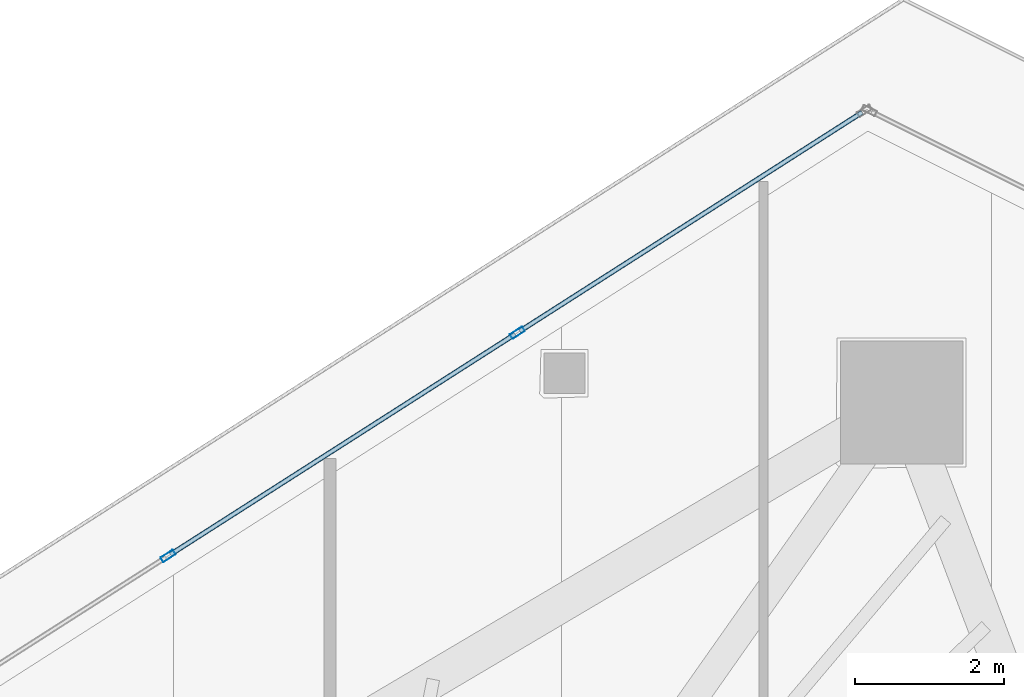
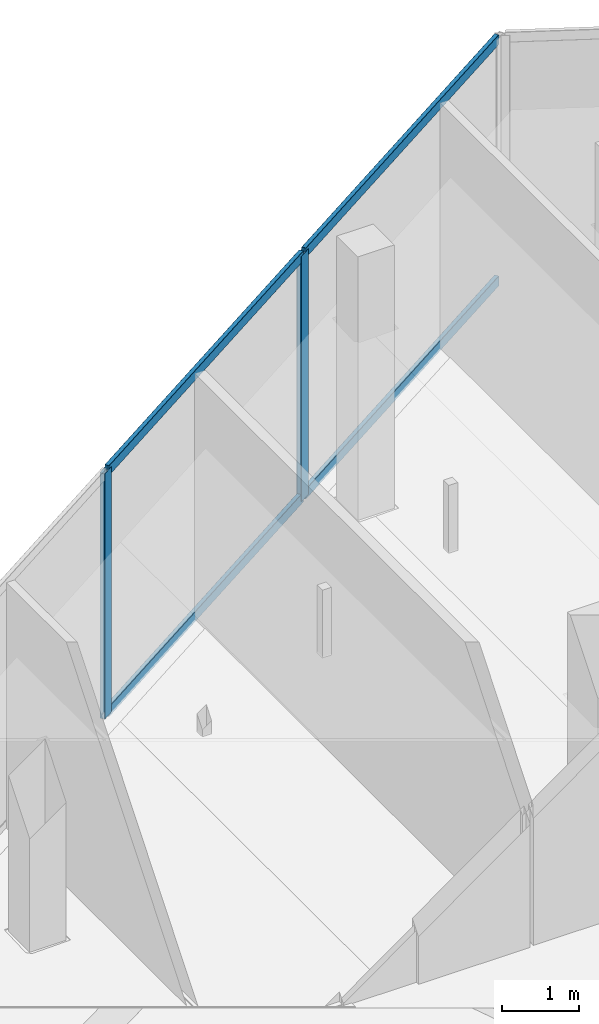
# One storey, part 19 of 36: 6 members, 1 element without a shape of its own.
"""IFC4 building model written with IfcOpenShell, lengths in metres."""

from ifc_helpers import new_model, si_unit, direction, frame, origin, origin_2d, place, context, subcontext, project, spatial, hollow_rectangle, extrude, material, layer, layer_set, material_profile, profile_set, type_object, element, aggregate, save


model = new_model("IFC4")

# Units and contexts
model_context = context("Model", 3, precision=1e-05, world=origin(), true_north=direction((0.0, 1.0)))
body_context = subcontext(model_context, "Body", "Model", "MODEL_VIEW")
ifc_project = project(units=[si_unit("LENGTHUNIT", "METRE"), si_unit("AREAUNIT", "SQUARE_METRE"), si_unit("VOLUMEUNIT", "CUBIC_METRE"), si_unit("PLANEANGLEUNIT", "RADIAN"), si_unit("MASSUNIT", "GRAM", prefix="KILO")], contexts=[model_context])

# Site, building, storey
site_placement = place(None, origin())
site = spatial("IfcSite", under=ifc_project, at=site_placement, CompositionType="ELEMENT")
building_placement = place(site_placement, origin())
building = spatial("IfcBuilding", under=site, at=building_placement, Name="Qorvath Tower", CompositionType="ELEMENT")
storey_placement = place(building_placement, frame((0.0, 0.0, 272.39990234375)))
storey = spatial("IfcBuildingStorey", under=building, at=storey_placement, Name="L63", CompositionType="ELEMENT", Elevation=272.39990234375)

# Curtain wall, members
ifc_material_1 = material(Name="Anodised aluminium and triple low-E glass", Category="aluminium")
ifc_layer = layer(ifc_material_1, 0.179931640625)
ifc_layer_set = layer_set([ifc_layer], Name="CW-SYS-4")
curtain_wall_type = type_object("IfcCurtainWallType", Name="CW-SYS-4", PredefinedType="NOTDEFINED", material=ifc_layer_set)
curtain_wall_placement = place(storey_placement, origin())
curtain_wall = element("IfcCurtainWall", 1, at=curtain_wall_placement, inside=storey, type_object=curtain_wall_type, Name="Curtain Wall CW-4 CW-T-L63-16.1", PredefinedType="NOTDEFINED")
ifc_material_2 = material(Name="Anodised aluminium 6063-T6", Category="aluminium")
ifc_material_profile_1 = material_profile(ifc_material_2, hollow_rectangle(XDim=0.074951171875, YDim=0.199951171875, WallThickness=0.00390625, InnerFilletRadius=0.00390625, OuterFilletRadius=0.008056640625, at=origin_2d()), Name="CWM 200x75")
ifc_profile_set_1 = profile_set([ifc_material_profile_1], Name="Anodised aluminium 6063-T6")
member_type_1 = type_object("IfcMemberType", Name="CWM-200", PredefinedType="MULLION", material=ifc_profile_set_1)
member_1_placement = place(storey_placement, frame((-22.687255859375, 21.04150390625, 0.0), z_axis=(0.0, 0.0, 1.0), x_axis=(0.538533509281, -0.842604094093, 0.0)))
member_1 = element("IfcMember", 2, at=member_1_placement, type_object=member_type_1, Name="CW-4 mullion 2", PredefinedType="MULLION", context=body_context, shape_type="SweptSolid", body=[
    extrude(hollow_rectangle(XDim=0.074951171875, YDim=0.199951171875, WallThickness=0.00390625, InnerFilletRadius=0.00390625, OuterFilletRadius=0.008056640625, at=origin_2d()), origin(), (0.0, 0.0, 1.0), 3.91015625),
])
member_2_placement = place(storey_placement, frame((-27.390380859375, 18.03564453125, 0.0), z_axis=(0.0, 0.0, 1.0), x_axis=(0.538533509281, -0.842604094093, 0.0)))
member_2 = element("IfcMember", 3, at=member_2_placement, type_object=member_type_1, Name="CW-4 mullion 3", PredefinedType="MULLION", context=body_context, shape_type="SweptSolid", body=[
    extrude(hollow_rectangle(XDim=0.074951171875, YDim=0.199951171875, WallThickness=0.00390625, InnerFilletRadius=0.00390625, OuterFilletRadius=0.008056640625, at=origin_2d()), origin(), (0.0, 0.0, 1.0), 3.91015625),
])
ifc_material_3 = material(Name="Anodised aluminium 6063-T6", Category="aluminium")
ifc_material_profile_2 = material_profile(ifc_material_3, hollow_rectangle(XDim=0.06494140625, YDim=0.159912109375, WallThickness=0.00341796875, InnerFilletRadius=0.00341796875, OuterFilletRadius=0.007080078125, at=origin_2d()), Name="CWT 160x65")
ifc_profile_set_2 = profile_set([ifc_material_profile_2], Name="Anodised aluminium 6063-T6")
member_type_2 = type_object("IfcMemberType", Name="CWT-160", PredefinedType="USERDEFINED", material=ifc_profile_set_2)
member_3_placement = place(storey_placement, frame((-18.04736328125, 24.007080078125, 0.032470703125), z_axis=(-0.842608486836, -0.538526636215, 0.0), x_axis=(0.538526636215, -0.842608486836, 0.0)))
member_3 = element("IfcMember", 4, at=member_3_placement, type_object=member_type_2, Name="CW-4 transom 1.1", ObjectType="TRANSOM", PredefinedType="USERDEFINED", context=body_context, shape_type="SweptSolid", body=[
    extrude(hollow_rectangle(XDim=0.06494140625, YDim=0.159912109375, WallThickness=0.00341796875, InnerFilletRadius=0.00341796875, OuterFilletRadius=0.007080078125, at=origin_2d()), origin(), (0.0, 0.0, 1.0), 5.46923828125),
])
member_4_placement = place(storey_placement, frame((-18.04736328125, 24.007080078125, 3.877685546875), z_axis=(-0.842608486836, -0.538526636215, 0.0), x_axis=(0.538526636215, -0.842608486836, 0.0)))
member_4 = element("IfcMember", 5, at=member_4_placement, type_object=member_type_2, Name="CW-4 transom 1.2", ObjectType="TRANSOM", PredefinedType="USERDEFINED", context=body_context, shape_type="SweptSolid", body=[
    extrude(hollow_rectangle(XDim=0.06494140625, YDim=0.159912109375, WallThickness=0.00341796875, InnerFilletRadius=0.00341796875, OuterFilletRadius=0.007080078125, at=origin_2d()), origin(), (0.0, 0.0, 1.0), 5.46923828125),
])
member_5_placement = place(storey_placement, frame((-22.71875, 21.021240234375, 0.032470703125), z_axis=(-0.842610204835, -0.538523948129, 0.0), x_axis=(0.538523948129, -0.842610204835, 0.0)))
member_5 = element("IfcMember", 6, at=member_5_placement, type_object=member_type_2, Name="CW-4 transom 2.1", ObjectType="TRANSOM", PredefinedType="USERDEFINED", context=body_context, shape_type="SweptSolid", body=[
    extrude(hollow_rectangle(XDim=0.06494140625, YDim=0.159912109375, WallThickness=0.00341796875, InnerFilletRadius=0.00341796875, OuterFilletRadius=0.007080078125, at=origin_2d()), origin(), (0.0, 0.0, 1.0), 5.5068359375),
])
member_6_placement = place(storey_placement, frame((-22.71875, 21.021240234375, 3.877685546875), z_axis=(-0.842610204835, -0.538523948129, 0.0), x_axis=(0.538523948129, -0.842610204835, 0.0)))
member_6 = element("IfcMember", 7, at=member_6_placement, type_object=member_type_2, Name="CW-4 transom 2.2", ObjectType="TRANSOM", PredefinedType="USERDEFINED", context=body_context, shape_type="SweptSolid", body=[
    extrude(hollow_rectangle(XDim=0.06494140625, YDim=0.159912109375, WallThickness=0.00341796875, InnerFilletRadius=0.00341796875, OuterFilletRadius=0.007080078125, at=origin_2d()), origin(), (0.0, 0.0, 1.0), 5.5068359375),
])
aggregate(curtain_wall, [member_1, member_2, member_3, member_4, member_5, member_6])

save(model, "model.ifc")
